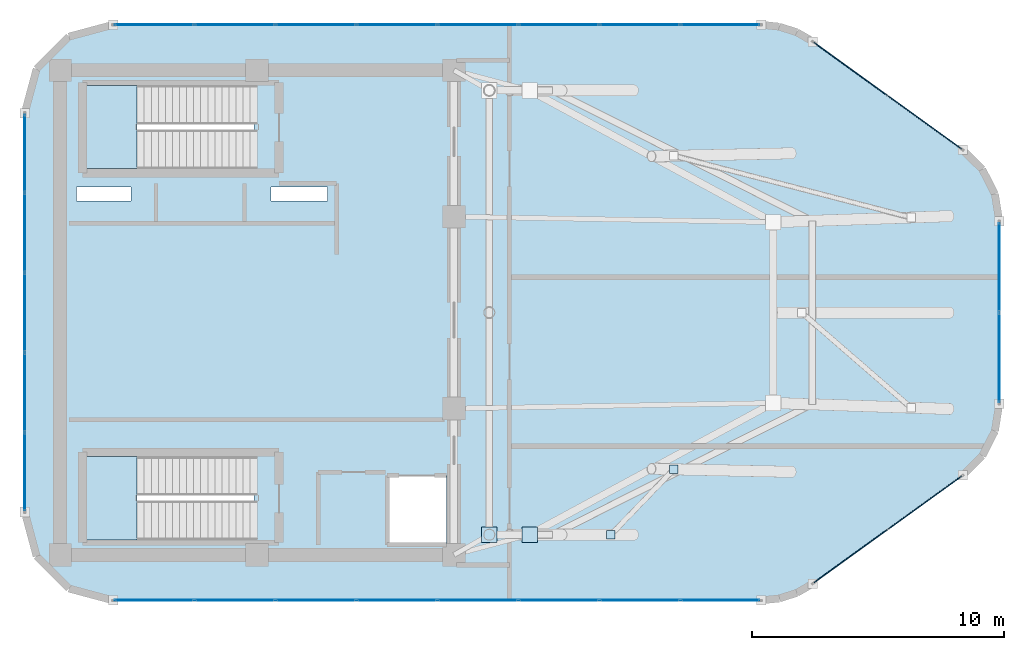
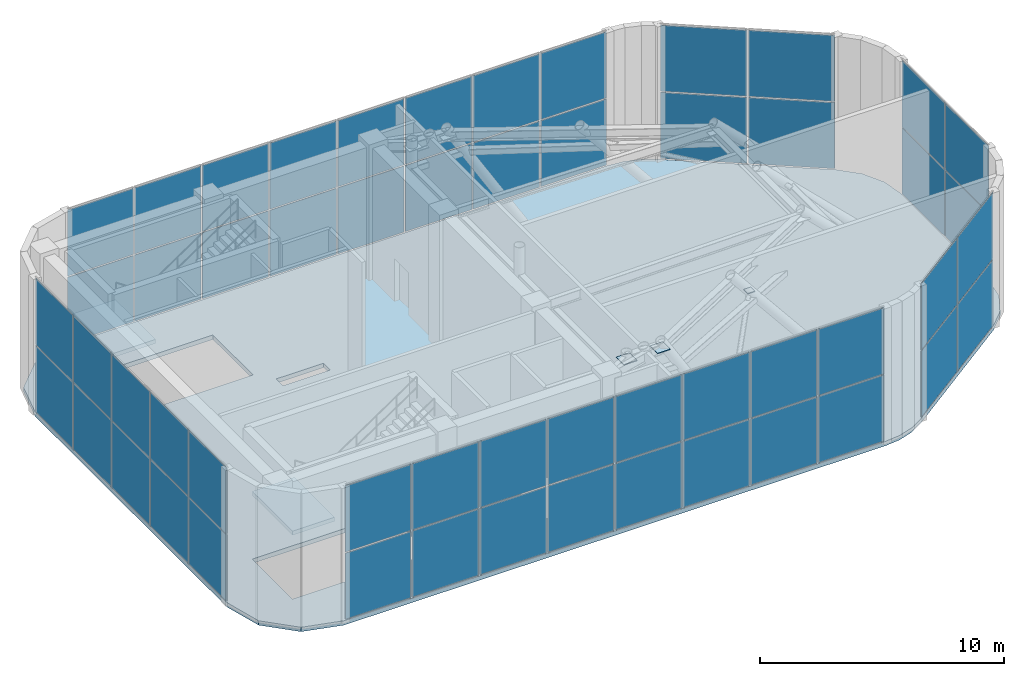
# One storey, part 20 of 23: 58 plates, 3 slabs, 8 elements without a shape of their own.
"""IFC4 building model written with IfcOpenShell, lengths in metres."""

from ifc_helpers import new_model, si_unit, direction, frame, origin, origin_2d, place, context, subcontext, project, spatial, polyline, rectangle, outline, extrude, material, layer, layer_set, type_object, element, aggregate, save


model = new_model("IFC4")

# Units and contexts
model_context = context("Model", 3, precision=1e-05, world=origin(), true_north=direction((0.0, 1.0)))
body_context = subcontext(model_context, "Body", "Model", "MODEL_VIEW")
ifc_project = project(units=[si_unit("LENGTHUNIT", "METRE"), si_unit("AREAUNIT", "SQUARE_METRE"), si_unit("VOLUMEUNIT", "CUBIC_METRE"), si_unit("PLANEANGLEUNIT", "RADIAN"), si_unit("MASSUNIT", "GRAM", prefix="KILO")], contexts=[model_context])

# Site, building, storey
site_placement = place(None, origin())
site = spatial("IfcSite", under=ifc_project, at=site_placement, CompositionType="ELEMENT")
building_placement = place(site_placement, origin())
building = spatial("IfcBuilding", under=site, at=building_placement, Name="An Khanh Terracotta Commons", CompositionType="ELEMENT")
storey_placement = place(building_placement, frame((0.0, 0.0, 322.0)))
storey = spatial("IfcBuildingStorey", under=building, at=storey_placement, Name="L81 Crown Heat-Recovery Plant", CompositionType="ELEMENT", Elevation=322.0)

# Plates
ifc_material_1 = material(Name="Steel S460ML", Category="steel")
ifc_layer_1 = layer(ifc_material_1, 0.030029296875, Name="Steel S460ML")
ifc_layer_set_1 = layer_set([ifc_layer_1], Name="Steel S460ML")
plate_type_1 = type_object("IfcPlateType", Name="CROWN-CAP-PL", PredefinedType="USERDEFINED", material=ifc_layer_set_1)
for number, where, z_axis, x_axis, name in (
    (1, (43.4150390625, 15.199951171875, 1.3701171875), (0.0, 0.0, 1.0), (1.0, 0.0, 0.0), "L81 Crown Heat-Recovery Plant CROWN FRAME Brace End-Cap Plate 2A"),
    (2, (45.9150390625, 17.791015625, 5.61083984375), (0.0, 0.0, 1.0), (1.0, 0.0, 0.0), "L81 Crown Heat-Recovery Plant CROWN FRAME Brace End-Cap Plate 2B"),
):
    element("IfcPlate", number, at=place(storey_placement, frame(where, z_axis=z_axis, x_axis=x_axis)), inside=storey, type_object=plate_type_1, Name=name, ObjectType="FLANGE_PLATE", PredefinedType="USERDEFINED", context=body_context, shape_type="SweptSolid", body=[
        extrude(rectangle(XDim=0.340087890625, YDim=0.340087890625, at=origin_2d()), origin(), (0.0, 0.0, 1.0), 0.030029296875),
    ])

# Curtain wall, plates
ifc_material_2 = material(Name="Anodised Aluminium 6063-T6", Category="aluminium")
ifc_layer_2 = layer(ifc_material_2, 0.18994140625, Name="Anodised Aluminium 6063-T6")
ifc_layer_set_2 = layer_set([ifc_layer_2], Name="Anodised Aluminium 6063-T6")
curtain_wall_type = type_object("IfcCurtainWallType", Name="CW-SYS-06", PredefinedType="USERDEFINED", material=ifc_layer_set_2)
curtain_wall_1_placement = place(storey_placement, origin())
curtain_wall_1 = element("IfcCurtainWall", 3, at=curtain_wall_1_placement, inside=storey, type_object=curtain_wall_type, Name="L81 Crown Heat-Recovery Plant CW-06 Unitised Curtain Wall CW-L81-04", ObjectType="UNITISED CURTAIN WALL", PredefinedType="USERDEFINED")
ifc_material_3 = material(Name="Faceted Crown Low-Iron Low-E Glazing", Category="glass")
ifc_layer_3 = layer(ifc_material_3, 0.033935546875, Name="Faceted Crown Low-Iron Low-E Glazing")
ifc_layer_set_3 = layer_set([ifc_layer_3], Name="Faceted Crown Low-Iron Low-E Glazing")
plate_type_2 = type_object("IfcPlateType", Name="CWP-CROWN-34", PredefinedType="CURTAIN_PANEL", material=ifc_layer_set_3)
plate_1_placement = place(storey_placement, frame((25.320556640625, 12.60009765625, 0.06005859375), z_axis=(0.0, 0.0, 1.0), x_axis=(1.0, 0.0, 0.0)))
plate_1 = element("IfcPlate", 4, at=plate_1_placement, type_object=plate_type_2, Name="CW-06 panel 1.1", PredefinedType="CURTAIN_PANEL", context=body_context, shape_type="SweptSolid", body=[
    extrude(rectangle(XDim=3.11083984375, YDim=0.033935546875, at=origin_2d()), origin(), (0.0, 0.0, 1.0), 3.31005859375),
])
plate_2_placement = place(storey_placement, frame((25.320556640625, 12.60009765625, 3.429931640625), z_axis=(0.0, 0.0, 1.0), x_axis=(1.0, 0.0, 0.0)))
plate_2 = element("IfcPlate", 5, at=plate_2_placement, type_object=plate_type_2, Name="CW-06 panel 1.2", PredefinedType="CURTAIN_PANEL", context=body_context, shape_type="SweptSolid", body=[
    extrude(rectangle(XDim=3.11083984375, YDim=0.033935546875, at=origin_2d()), origin(), (0.0, 0.0, 1.0), 3.31005859375),
])
plate_3_placement = place(storey_placement, frame((28.512451171875, 12.60009765625, 0.06005859375), z_axis=(0.0, 0.0, 1.0), x_axis=(1.0, 0.0, 0.0)))
plate_3 = element("IfcPlate", 6, at=plate_3_placement, type_object=plate_type_2, Name="CW-06 panel 2.1", PredefinedType="CURTAIN_PANEL", context=body_context, shape_type="SweptSolid", body=[
    extrude(rectangle(XDim=3.143310546875, YDim=0.033935546875, at=origin_2d()), origin(), (0.0, 0.0, 1.0), 3.31005859375),
])
plate_4_placement = place(storey_placement, frame((28.512451171875, 12.60009765625, 3.429931640625), z_axis=(0.0, 0.0, 1.0), x_axis=(1.0, 0.0, 0.0)))
plate_4 = element("IfcPlate", 7, at=plate_4_placement, type_object=plate_type_2, Name="CW-06 panel 2.2", PredefinedType="CURTAIN_PANEL", context=body_context, shape_type="SweptSolid", body=[
    extrude(rectangle(XDim=3.143310546875, YDim=0.033935546875, at=origin_2d()), origin(), (0.0, 0.0, 1.0), 3.31005859375),
])
plate_5_placement = place(storey_placement, frame((31.720947265625, 12.60009765625, 0.06005859375), z_axis=(0.0, 0.0, 1.0), x_axis=(1.0, 0.0, 0.0)))
plate_5 = element("IfcPlate", 8, at=plate_5_placement, type_object=plate_type_2, Name="CW-06 panel 3.1", PredefinedType="CURTAIN_PANEL", context=body_context, shape_type="SweptSolid", body=[
    extrude(rectangle(XDim=3.143310546875, YDim=0.033935546875, at=origin_2d()), origin(), (0.0, 0.0, 1.0), 3.31005859375),
])
plate_6_placement = place(storey_placement, frame((31.720947265625, 12.60009765625, 3.429931640625), z_axis=(0.0, 0.0, 1.0), x_axis=(1.0, 0.0, 0.0)))
plate_6 = element("IfcPlate", 9, at=plate_6_placement, type_object=plate_type_2, Name="CW-06 panel 3.2", PredefinedType="CURTAIN_PANEL", context=body_context, shape_type="SweptSolid", body=[
    extrude(rectangle(XDim=3.143310546875, YDim=0.033935546875, at=origin_2d()), origin(), (0.0, 0.0, 1.0), 3.31005859375),
])
plate_7_placement = place(storey_placement, frame((34.92919921875, 12.60009765625, 0.06005859375), z_axis=(0.0, 0.0, 1.0), x_axis=(1.0, 0.0, 0.0)))
plate_7 = element("IfcPlate", 10, at=plate_7_placement, type_object=plate_type_2, Name="CW-06 panel 4.1", PredefinedType="CURTAIN_PANEL", context=body_context, shape_type="SweptSolid", body=[
    extrude(rectangle(XDim=3.143310546875, YDim=0.033935546875, at=origin_2d()), origin(), (0.0, 0.0, 1.0), 3.31005859375),
])
plate_8_placement = place(storey_placement, frame((34.92919921875, 12.60009765625, 3.429931640625), z_axis=(0.0, 0.0, 1.0), x_axis=(1.0, 0.0, 0.0)))
plate_8 = element("IfcPlate", 11, at=plate_8_placement, type_object=plate_type_2, Name="CW-06 panel 4.2", PredefinedType="CURTAIN_PANEL", context=body_context, shape_type="SweptSolid", body=[
    extrude(rectangle(XDim=3.143310546875, YDim=0.033935546875, at=origin_2d()), origin(), (0.0, 0.0, 1.0), 3.31005859375),
])
plate_9_placement = place(storey_placement, frame((38.1376953125, 12.60009765625, 0.06005859375), z_axis=(0.0, 0.0, 1.0), x_axis=(1.0, 0.0, 0.0)))
plate_9 = element("IfcPlate", 12, at=plate_9_placement, type_object=plate_type_2, Name="CW-06 panel 5.1", PredefinedType="CURTAIN_PANEL", context=body_context, shape_type="SweptSolid", body=[
    extrude(rectangle(XDim=3.143310546875, YDim=0.033935546875, at=origin_2d()), origin(), (0.0, 0.0, 1.0), 3.31005859375),
])
plate_10_placement = place(storey_placement, frame((38.1376953125, 12.60009765625, 3.429931640625), z_axis=(0.0, 0.0, 1.0), x_axis=(1.0, 0.0, 0.0)))
plate_10 = element("IfcPlate", 13, at=plate_10_placement, type_object=plate_type_2, Name="CW-06 panel 5.2", PredefinedType="CURTAIN_PANEL", context=body_context, shape_type="SweptSolid", body=[
    extrude(rectangle(XDim=3.143310546875, YDim=0.033935546875, at=origin_2d()), origin(), (0.0, 0.0, 1.0), 3.31005859375),
])
plate_11_placement = place(storey_placement, frame((41.345947265625, 12.60009765625, 0.06005859375), z_axis=(0.0, 0.0, 1.0), x_axis=(1.0, 0.0, 0.0)))
plate_11 = element("IfcPlate", 14, at=plate_11_placement, type_object=plate_type_2, Name="CW-06 panel 6.1", PredefinedType="CURTAIN_PANEL", context=body_context, shape_type="SweptSolid", body=[
    extrude(rectangle(XDim=3.143310546875, YDim=0.033935546875, at=origin_2d()), origin(), (0.0, 0.0, 1.0), 3.31005859375),
])
plate_12_placement = place(storey_placement, frame((41.345947265625, 12.60009765625, 3.429931640625), z_axis=(0.0, 0.0, 1.0), x_axis=(1.0, 0.0, 0.0)))
plate_12 = element("IfcPlate", 15, at=plate_12_placement, type_object=plate_type_2, Name="CW-06 panel 6.2", PredefinedType="CURTAIN_PANEL", context=body_context, shape_type="SweptSolid", body=[
    extrude(rectangle(XDim=3.143310546875, YDim=0.033935546875, at=origin_2d()), origin(), (0.0, 0.0, 1.0), 3.31005859375),
])
plate_13_placement = place(storey_placement, frame((44.554443359375, 12.60009765625, 0.06005859375), z_axis=(0.0, 0.0, 1.0), x_axis=(1.0, 0.0, 0.0)))
plate_13 = element("IfcPlate", 16, at=plate_13_placement, type_object=plate_type_2, Name="CW-06 panel 7.1", PredefinedType="CURTAIN_PANEL", context=body_context, shape_type="SweptSolid", body=[
    extrude(rectangle(XDim=3.143310546875, YDim=0.033935546875, at=origin_2d()), origin(), (0.0, 0.0, 1.0), 3.31005859375),
])
plate_14_placement = place(storey_placement, frame((44.554443359375, 12.60009765625, 3.429931640625), z_axis=(0.0, 0.0, 1.0), x_axis=(1.0, 0.0, 0.0)))
plate_14 = element("IfcPlate", 17, at=plate_14_placement, type_object=plate_type_2, Name="CW-06 panel 7.2", PredefinedType="CURTAIN_PANEL", context=body_context, shape_type="SweptSolid", body=[
    extrude(rectangle(XDim=3.143310546875, YDim=0.033935546875, at=origin_2d()), origin(), (0.0, 0.0, 1.0), 3.31005859375),
])
plate_15_placement = place(storey_placement, frame((47.74658203125, 12.60009765625, 0.06005859375), z_axis=(0.0, 0.0, 1.0), x_axis=(1.0, 0.0, 0.0)))
plate_15 = element("IfcPlate", 18, at=plate_15_placement, type_object=plate_type_2, Name="CW-06 panel 8.1", PredefinedType="CURTAIN_PANEL", context=body_context, shape_type="SweptSolid", body=[
    extrude(rectangle(XDim=3.11083984375, YDim=0.033935546875, at=origin_2d()), origin(), (0.0, 0.0, 1.0), 3.31005859375),
])
plate_16_placement = place(storey_placement, frame((47.74658203125, 12.60009765625, 3.429931640625), z_axis=(0.0, 0.0, 1.0), x_axis=(1.0, 0.0, 0.0)))
plate_16 = element("IfcPlate", 19, at=plate_16_placement, type_object=plate_type_2, Name="CW-06 panel 8.2", PredefinedType="CURTAIN_PANEL", context=body_context, shape_type="SweptSolid", body=[
    extrude(rectangle(XDim=3.11083984375, YDim=0.033935546875, at=origin_2d()), origin(), (0.0, 0.0, 1.0), 3.31005859375),
])
aggregate(curtain_wall_1, [plate_1, plate_2, plate_3, plate_4, plate_5, plate_6, plate_7, plate_8, plate_9, plate_10, plate_11, plate_12, plate_13, plate_14, plate_15, plate_16])

curtain_wall_2_placement = place(storey_placement, origin())
curtain_wall_2 = element("IfcCurtainWall", 20, at=curtain_wall_2_placement, inside=storey, type_object=curtain_wall_type, Name="L81 Crown Heat-Recovery Plant CW-06 Unitised Curtain Wall CW-L81-08", ObjectType="UNITISED CURTAIN WALL", PredefinedType="USERDEFINED")
plate_17_placement = place(storey_placement, frame((52.9140625, 14.345458984375, 0.06005859375), z_axis=(0.0, 0.0, 1.0), x_axis=(0.810434182337, 0.585829698889, 0.0)))
plate_17 = element("IfcPlate", 21, at=plate_17_placement, type_object=plate_type_2, Name="CW-06 panel 1.1", PredefinedType="CURTAIN_PANEL", context=body_context, shape_type="SweptSolid", body=[
    extrude(rectangle(XDim=3.562255859375, YDim=0.033935546875, at=origin_2d()), origin(), (0.0, 0.0, 1.0), 3.31005859375),
])
plate_18_placement = place(storey_placement, frame((52.9140625, 14.345458984375, 3.429931640625), z_axis=(0.0, 0.0, 1.0), x_axis=(0.810434182337, 0.585829698889, 0.0)))
plate_18 = element("IfcPlate", 22, at=plate_18_placement, type_object=plate_type_2, Name="CW-06 panel 1.2", PredefinedType="CURTAIN_PANEL", context=body_context, shape_type="SweptSolid", body=[
    extrude(rectangle(XDim=3.562255859375, YDim=0.033935546875, at=origin_2d()), origin(), (0.0, 0.0, 1.0), 3.31005859375),
])
plate_19_placement = place(storey_placement, frame((55.853759765625, 16.470458984375, 0.06005859375), z_axis=(0.0, 0.0, 1.0), x_axis=(0.810434182337, 0.585829698889, 0.0)))
plate_19 = element("IfcPlate", 23, at=plate_19_placement, type_object=plate_type_2, Name="CW-06 panel 2.1", PredefinedType="CURTAIN_PANEL", context=body_context, shape_type="SweptSolid", body=[
    extrude(rectangle(XDim=3.562255859375, YDim=0.033935546875, at=origin_2d()), origin(), (0.0, 0.0, 1.0), 3.31005859375),
])
plate_20_placement = place(storey_placement, frame((55.853759765625, 16.470458984375, 3.429931640625), z_axis=(0.0, 0.0, 1.0), x_axis=(0.810434182337, 0.585829698889, 0.0)))
plate_20 = element("IfcPlate", 24, at=plate_20_placement, type_object=plate_type_2, Name="CW-06 panel 2.2", PredefinedType="CURTAIN_PANEL", context=body_context, shape_type="SweptSolid", body=[
    extrude(rectangle(XDim=3.562255859375, YDim=0.033935546875, at=origin_2d()), origin(), (0.0, 0.0, 1.0), 3.31005859375),
])
aggregate(curtain_wall_2, [plate_17, plate_18, plate_19, plate_20])

curtain_wall_3_placement = place(storey_placement, origin())
curtain_wall_3 = element("IfcCurtainWall", 25, at=curtain_wall_3_placement, inside=storey, type_object=curtain_wall_type, Name="L81 Crown Heat-Recovery Plant CW-06 Unitised Curtain Wall CW-L81-12", ObjectType="UNITISED CURTAIN WALL", PredefinedType="USERDEFINED")
plate_21_placement = place(storey_placement, frame((58.800048828125, 22.210693359375, 0.06005859375), z_axis=(0.0, 0.0, 1.0), x_axis=(0.0, 1.0, 0.0)))
plate_21 = element("IfcPlate", 26, at=plate_21_placement, type_object=plate_type_2, Name="CW-06 panel 1.1", PredefinedType="CURTAIN_PANEL", context=body_context, shape_type="SweptSolid", body=[
    extrude(rectangle(XDim=3.513427734375, YDim=0.033935546875, at=origin_2d()), origin(), (0.0, 0.0, 1.0), 3.31005859375),
])
plate_22_placement = place(storey_placement, frame((58.800048828125, 22.210693359375, 3.429931640625), z_axis=(0.0, 0.0, 1.0), x_axis=(0.0, 1.0, 0.0)))
plate_22 = element("IfcPlate", 27, at=plate_22_placement, type_object=plate_type_2, Name="CW-06 panel 1.2", PredefinedType="CURTAIN_PANEL", context=body_context, shape_type="SweptSolid", body=[
    extrude(rectangle(XDim=3.513427734375, YDim=0.033935546875, at=origin_2d()), origin(), (0.0, 0.0, 1.0), 3.31005859375),
])
plate_23_placement = place(storey_placement, frame((58.800048828125, 25.789306640625, 0.06005859375), z_axis=(0.0, 0.0, 1.0), x_axis=(0.0, 1.0, 0.0)))
plate_23 = element("IfcPlate", 28, at=plate_23_placement, type_object=plate_type_2, Name="CW-06 panel 2.1", PredefinedType="CURTAIN_PANEL", context=body_context, shape_type="SweptSolid", body=[
    extrude(rectangle(XDim=3.513427734375, YDim=0.033935546875, at=origin_2d()), origin(), (0.0, 0.0, 1.0), 3.31005859375),
])
plate_24_placement = place(storey_placement, frame((58.800048828125, 25.789306640625, 3.429931640625), z_axis=(0.0, 0.0, 1.0), x_axis=(0.0, 1.0, 0.0)))
plate_24 = element("IfcPlate", 29, at=plate_24_placement, type_object=plate_type_2, Name="CW-06 panel 2.2", PredefinedType="CURTAIN_PANEL", context=body_context, shape_type="SweptSolid", body=[
    extrude(rectangle(XDim=3.513427734375, YDim=0.033935546875, at=origin_2d()), origin(), (0.0, 0.0, 1.0), 3.31005859375),
])
aggregate(curtain_wall_3, [plate_21, plate_22, plate_23, plate_24])

curtain_wall_4_placement = place(storey_placement, origin())
curtain_wall_4 = element("IfcCurtainWall", 30, at=curtain_wall_4_placement, inside=storey, type_object=curtain_wall_type, Name="L81 Crown Heat-Recovery Plant CW-06 Unitised Curtain Wall CW-L81-16", ObjectType="UNITISED CURTAIN WALL", PredefinedType="USERDEFINED")
plate_25_placement = place(storey_placement, frame((55.853759765625, 31.529541015625, 0.06005859375), z_axis=(0.0, 0.0, 1.0), x_axis=(-0.810434182337, 0.585829698889, 0.0)))
plate_25 = element("IfcPlate", 31, at=plate_25_placement, type_object=plate_type_2, Name="CW-06 panel 1.1", PredefinedType="CURTAIN_PANEL", context=body_context, shape_type="SweptSolid", body=[
    extrude(rectangle(XDim=3.562255859375, YDim=0.033935546875, at=origin_2d()), origin(), (0.0, 0.0, 1.0), 3.31005859375),
])
plate_26_placement = place(storey_placement, frame((55.853759765625, 31.529541015625, 3.429931640625), z_axis=(0.0, 0.0, 1.0), x_axis=(-0.810434182337, 0.585829698889, 0.0)))
plate_26 = element("IfcPlate", 32, at=plate_26_placement, type_object=plate_type_2, Name="CW-06 panel 1.2", PredefinedType="CURTAIN_PANEL", context=body_context, shape_type="SweptSolid", body=[
    extrude(rectangle(XDim=3.562255859375, YDim=0.033935546875, at=origin_2d()), origin(), (0.0, 0.0, 1.0), 3.31005859375),
])
plate_27_placement = place(storey_placement, frame((52.9140625, 33.654541015625, 0.06005859375), z_axis=(0.0, 0.0, 1.0), x_axis=(-0.810434182337, 0.585829698889, 0.0)))
plate_27 = element("IfcPlate", 33, at=plate_27_placement, type_object=plate_type_2, Name="CW-06 panel 2.1", PredefinedType="CURTAIN_PANEL", context=body_context, shape_type="SweptSolid", body=[
    extrude(rectangle(XDim=3.562255859375, YDim=0.033935546875, at=origin_2d()), origin(), (0.0, 0.0, 1.0), 3.31005859375),
])
plate_28_placement = place(storey_placement, frame((52.9140625, 33.654541015625, 3.429931640625), z_axis=(0.0, 0.0, 1.0), x_axis=(-0.810434182337, 0.585829698889, 0.0)))
plate_28 = element("IfcPlate", 34, at=plate_28_placement, type_object=plate_type_2, Name="CW-06 panel 2.2", PredefinedType="CURTAIN_PANEL", context=body_context, shape_type="SweptSolid", body=[
    extrude(rectangle(XDim=3.562255859375, YDim=0.033935546875, at=origin_2d()), origin(), (0.0, 0.0, 1.0), 3.31005859375),
])
aggregate(curtain_wall_4, [plate_25, plate_26, plate_27, plate_28])

curtain_wall_5_placement = place(storey_placement, origin())
curtain_wall_5 = element("IfcCurtainWall", 35, at=curtain_wall_5_placement, inside=storey, type_object=curtain_wall_type, Name="L81 Crown Heat-Recovery Plant CW-06 Unitised Curtain Wall CW-L81-20", ObjectType="UNITISED CURTAIN WALL", PredefinedType="USERDEFINED")
plate_29_placement = place(storey_placement, frame((47.74658203125, 35.39990234375, 0.06005859375), z_axis=(0.0, 0.0, 1.0), x_axis=(-1.0, 0.0, 0.0)))
plate_29 = element("IfcPlate", 36, at=plate_29_placement, type_object=plate_type_2, Name="CW-06 panel 1.1", PredefinedType="CURTAIN_PANEL", context=body_context, shape_type="SweptSolid", body=[
    extrude(rectangle(XDim=3.11083984375, YDim=0.033935546875, at=origin_2d()), origin(), (0.0, 0.0, 1.0), 3.31005859375),
])
plate_30_placement = place(storey_placement, frame((47.74658203125, 35.39990234375, 3.429931640625), z_axis=(0.0, 0.0, 1.0), x_axis=(-1.0, 0.0, 0.0)))
plate_30 = element("IfcPlate", 37, at=plate_30_placement, type_object=plate_type_2, Name="CW-06 panel 1.2", PredefinedType="CURTAIN_PANEL", context=body_context, shape_type="SweptSolid", body=[
    extrude(rectangle(XDim=3.11083984375, YDim=0.033935546875, at=origin_2d()), origin(), (0.0, 0.0, 1.0), 3.31005859375),
])
plate_31_placement = place(storey_placement, frame((44.554443359375, 35.39990234375, 0.06005859375), z_axis=(0.0, 0.0, 1.0), x_axis=(-1.0, 0.0, 0.0)))
plate_31 = element("IfcPlate", 38, at=plate_31_placement, type_object=plate_type_2, Name="CW-06 panel 2.1", PredefinedType="CURTAIN_PANEL", context=body_context, shape_type="SweptSolid", body=[
    extrude(rectangle(XDim=3.143310546875, YDim=0.033935546875, at=origin_2d()), origin(), (0.0, 0.0, 1.0), 3.31005859375),
])
plate_32_placement = place(storey_placement, frame((44.554443359375, 35.39990234375, 3.429931640625), z_axis=(0.0, 0.0, 1.0), x_axis=(-1.0, 0.0, 0.0)))
plate_32 = element("IfcPlate", 39, at=plate_32_placement, type_object=plate_type_2, Name="CW-06 panel 2.2", PredefinedType="CURTAIN_PANEL", context=body_context, shape_type="SweptSolid", body=[
    extrude(rectangle(XDim=3.143310546875, YDim=0.033935546875, at=origin_2d()), origin(), (0.0, 0.0, 1.0), 3.31005859375),
])
plate_33_placement = place(storey_placement, frame((41.345947265625, 35.39990234375, 0.06005859375), z_axis=(0.0, 0.0, 1.0), x_axis=(-1.0, 0.0, 0.0)))
plate_33 = element("IfcPlate", 40, at=plate_33_placement, type_object=plate_type_2, Name="CW-06 panel 3.1", PredefinedType="CURTAIN_PANEL", context=body_context, shape_type="SweptSolid", body=[
    extrude(rectangle(XDim=3.143310546875, YDim=0.033935546875, at=origin_2d()), origin(), (0.0, 0.0, 1.0), 3.31005859375),
])
plate_34_placement = place(storey_placement, frame((41.345947265625, 35.39990234375, 3.429931640625), z_axis=(0.0, 0.0, 1.0), x_axis=(-1.0, 0.0, 0.0)))
plate_34 = element("IfcPlate", 41, at=plate_34_placement, type_object=plate_type_2, Name="CW-06 panel 3.2", PredefinedType="CURTAIN_PANEL", context=body_context, shape_type="SweptSolid", body=[
    extrude(rectangle(XDim=3.143310546875, YDim=0.033935546875, at=origin_2d()), origin(), (0.0, 0.0, 1.0), 3.31005859375),
])
plate_35_placement = place(storey_placement, frame((38.1376953125, 35.39990234375, 0.06005859375), z_axis=(0.0, 0.0, 1.0), x_axis=(-1.0, 0.0, 0.0)))
plate_35 = element("IfcPlate", 42, at=plate_35_placement, type_object=plate_type_2, Name="CW-06 panel 4.1", PredefinedType="CURTAIN_PANEL", context=body_context, shape_type="SweptSolid", body=[
    extrude(rectangle(XDim=3.143310546875, YDim=0.033935546875, at=origin_2d()), origin(), (0.0, 0.0, 1.0), 3.31005859375),
])
plate_36_placement = place(storey_placement, frame((38.1376953125, 35.39990234375, 3.429931640625), z_axis=(0.0, 0.0, 1.0), x_axis=(-1.0, 0.0, 0.0)))
plate_36 = element("IfcPlate", 43, at=plate_36_placement, type_object=plate_type_2, Name="CW-06 panel 4.2", PredefinedType="CURTAIN_PANEL", context=body_context, shape_type="SweptSolid", body=[
    extrude(rectangle(XDim=3.143310546875, YDim=0.033935546875, at=origin_2d()), origin(), (0.0, 0.0, 1.0), 3.31005859375),
])
plate_37_placement = place(storey_placement, frame((34.92919921875, 35.39990234375, 0.06005859375), z_axis=(0.0, 0.0, 1.0), x_axis=(-1.0, 0.0, 0.0)))
plate_37 = element("IfcPlate", 44, at=plate_37_placement, type_object=plate_type_2, Name="CW-06 panel 5.1", PredefinedType="CURTAIN_PANEL", context=body_context, shape_type="SweptSolid", body=[
    extrude(rectangle(XDim=3.143310546875, YDim=0.033935546875, at=origin_2d()), origin(), (0.0, 0.0, 1.0), 3.31005859375),
])
plate_38_placement = place(storey_placement, frame((34.92919921875, 35.39990234375, 3.429931640625), z_axis=(0.0, 0.0, 1.0), x_axis=(-1.0, 0.0, 0.0)))
plate_38 = element("IfcPlate", 45, at=plate_38_placement, type_object=plate_type_2, Name="CW-06 panel 5.2", PredefinedType="CURTAIN_PANEL", context=body_context, shape_type="SweptSolid", body=[
    extrude(rectangle(XDim=3.143310546875, YDim=0.033935546875, at=origin_2d()), origin(), (0.0, 0.0, 1.0), 3.31005859375),
])
plate_39_placement = place(storey_placement, frame((31.720947265625, 35.39990234375, 0.06005859375), z_axis=(0.0, 0.0, 1.0), x_axis=(-1.0, 0.0, 0.0)))
plate_39 = element("IfcPlate", 46, at=plate_39_placement, type_object=plate_type_2, Name="CW-06 panel 6.1", PredefinedType="CURTAIN_PANEL", context=body_context, shape_type="SweptSolid", body=[
    extrude(rectangle(XDim=3.143310546875, YDim=0.033935546875, at=origin_2d()), origin(), (0.0, 0.0, 1.0), 3.31005859375),
])
plate_40_placement = place(storey_placement, frame((31.720947265625, 35.39990234375, 3.429931640625), z_axis=(0.0, 0.0, 1.0), x_axis=(-1.0, 0.0, 0.0)))
plate_40 = element("IfcPlate", 47, at=plate_40_placement, type_object=plate_type_2, Name="CW-06 panel 6.2", PredefinedType="CURTAIN_PANEL", context=body_context, shape_type="SweptSolid", body=[
    extrude(rectangle(XDim=3.143310546875, YDim=0.033935546875, at=origin_2d()), origin(), (0.0, 0.0, 1.0), 3.31005859375),
])
plate_41_placement = place(storey_placement, frame((28.512451171875, 35.39990234375, 0.06005859375), z_axis=(0.0, 0.0, 1.0), x_axis=(-1.0, 0.0, 0.0)))
plate_41 = element("IfcPlate", 48, at=plate_41_placement, type_object=plate_type_2, Name="CW-06 panel 7.1", PredefinedType="CURTAIN_PANEL", context=body_context, shape_type="SweptSolid", body=[
    extrude(rectangle(XDim=3.143310546875, YDim=0.033935546875, at=origin_2d()), origin(), (0.0, 0.0, 1.0), 3.31005859375),
])
plate_42_placement = place(storey_placement, frame((28.512451171875, 35.39990234375, 3.429931640625), z_axis=(0.0, 0.0, 1.0), x_axis=(-1.0, 0.0, 0.0)))
plate_42 = element("IfcPlate", 49, at=plate_42_placement, type_object=plate_type_2, Name="CW-06 panel 7.2", PredefinedType="CURTAIN_PANEL", context=body_context, shape_type="SweptSolid", body=[
    extrude(rectangle(XDim=3.143310546875, YDim=0.033935546875, at=origin_2d()), origin(), (0.0, 0.0, 1.0), 3.31005859375),
])
plate_43_placement = place(storey_placement, frame((25.320556640625, 35.39990234375, 0.06005859375), z_axis=(0.0, 0.0, 1.0), x_axis=(-1.0, 0.0, 0.0)))
plate_43 = element("IfcPlate", 50, at=plate_43_placement, type_object=plate_type_2, Name="CW-06 panel 8.1", PredefinedType="CURTAIN_PANEL", context=body_context, shape_type="SweptSolid", body=[
    extrude(rectangle(XDim=3.11083984375, YDim=0.033935546875, at=origin_2d()), origin(), (0.0, 0.0, 1.0), 3.31005859375),
])
plate_44_placement = place(storey_placement, frame((25.320556640625, 35.39990234375, 3.429931640625), z_axis=(0.0, 0.0, 1.0), x_axis=(-1.0, 0.0, 0.0)))
plate_44 = element("IfcPlate", 51, at=plate_44_placement, type_object=plate_type_2, Name="CW-06 panel 8.2", PredefinedType="CURTAIN_PANEL", context=body_context, shape_type="SweptSolid", body=[
    extrude(rectangle(XDim=3.11083984375, YDim=0.033935546875, at=origin_2d()), origin(), (0.0, 0.0, 1.0), 3.31005859375),
])
aggregate(curtain_wall_5, [plate_29, plate_30, plate_31, plate_32, plate_33, plate_34, plate_35, plate_36, plate_37, plate_38, plate_39, plate_40, plate_41, plate_42, plate_43, plate_44])

curtain_wall_6_placement = place(storey_placement, origin())
curtain_wall_6 = element("IfcCurtainWall", 52, at=curtain_wall_6_placement, inside=storey, type_object=curtain_wall_type, Name="L81 Crown Heat-Recovery Plant CW-06 Unitised Curtain Wall CW-L81-24", ObjectType="UNITISED CURTAIN WALL", PredefinedType="USERDEFINED")
plate_45_placement = place(storey_placement, frame((20.199951171875, 30.3037109375, 0.06005859375), z_axis=(0.0, 0.0, 1.0), x_axis=(0.0, -1.0, 0.0)))
plate_45 = element("IfcPlate", 53, at=plate_45_placement, type_object=plate_type_2, Name="CW-06 panel 1.1", PredefinedType="CURTAIN_PANEL", context=body_context, shape_type="SweptSolid", body=[
    extrude(rectangle(XDim=3.0625, YDim=0.033935546875, at=origin_2d()), origin(), (0.0, 0.0, 1.0), 3.31005859375),
])
plate_46_placement = place(storey_placement, frame((20.199951171875, 30.3037109375, 3.429931640625), z_axis=(0.0, 0.0, 1.0), x_axis=(0.0, -1.0, 0.0)))
plate_46 = element("IfcPlate", 54, at=plate_46_placement, type_object=plate_type_2, Name="CW-06 panel 1.2", PredefinedType="CURTAIN_PANEL", context=body_context, shape_type="SweptSolid", body=[
    extrude(rectangle(XDim=3.0625, YDim=0.033935546875, at=origin_2d()), origin(), (0.0, 0.0, 1.0), 3.31005859375),
])
plate_47_placement = place(storey_placement, frame((20.199951171875, 27.159912109375, 0.06005859375), z_axis=(0.0, 0.0, 1.0), x_axis=(0.0, -1.0, 0.0)))
plate_47 = element("IfcPlate", 55, at=plate_47_placement, type_object=plate_type_2, Name="CW-06 panel 2.1", PredefinedType="CURTAIN_PANEL", context=body_context, shape_type="SweptSolid", body=[
    extrude(rectangle(XDim=3.094970703125, YDim=0.033935546875, at=origin_2d()), origin(), (0.0, 0.0, 1.0), 3.31005859375),
])
plate_48_placement = place(storey_placement, frame((20.199951171875, 27.159912109375, 3.429931640625), z_axis=(0.0, 0.0, 1.0), x_axis=(0.0, -1.0, 0.0)))
plate_48 = element("IfcPlate", 56, at=plate_48_placement, type_object=plate_type_2, Name="CW-06 panel 2.2", PredefinedType="CURTAIN_PANEL", context=body_context, shape_type="SweptSolid", body=[
    extrude(rectangle(XDim=3.094970703125, YDim=0.033935546875, at=origin_2d()), origin(), (0.0, 0.0, 1.0), 3.31005859375),
])
plate_49_placement = place(storey_placement, frame((20.199951171875, 24.0, 0.06005859375), z_axis=(0.0, 0.0, 1.0), x_axis=(0.0, -1.0, 0.0)))
plate_49 = element("IfcPlate", 57, at=plate_49_placement, type_object=plate_type_2, Name="CW-06 panel 3.1", PredefinedType="CURTAIN_PANEL", context=body_context, shape_type="SweptSolid", body=[
    extrude(rectangle(XDim=3.094970703125, YDim=0.033935546875, at=origin_2d()), origin(), (0.0, 0.0, 1.0), 3.31005859375),
])
plate_50_placement = place(storey_placement, frame((20.199951171875, 24.0, 3.429931640625), z_axis=(0.0, 0.0, 1.0), x_axis=(0.0, -1.0, 0.0)))
plate_50 = element("IfcPlate", 58, at=plate_50_placement, type_object=plate_type_2, Name="CW-06 panel 3.2", PredefinedType="CURTAIN_PANEL", context=body_context, shape_type="SweptSolid", body=[
    extrude(rectangle(XDim=3.094970703125, YDim=0.033935546875, at=origin_2d()), origin(), (0.0, 0.0, 1.0), 3.31005859375),
])
plate_51_placement = place(storey_placement, frame((20.199951171875, 20.840087890625, 0.06005859375), z_axis=(0.0, 0.0, 1.0), x_axis=(0.0, -1.0, 0.0)))
plate_51 = element("IfcPlate", 59, at=plate_51_placement, type_object=plate_type_2, Name="CW-06 panel 4.1", PredefinedType="CURTAIN_PANEL", context=body_context, shape_type="SweptSolid", body=[
    extrude(rectangle(XDim=3.094970703125, YDim=0.033935546875, at=origin_2d()), origin(), (0.0, 0.0, 1.0), 3.31005859375),
])
plate_52_placement = place(storey_placement, frame((20.199951171875, 20.840087890625, 3.429931640625), z_axis=(0.0, 0.0, 1.0), x_axis=(0.0, -1.0, 0.0)))
plate_52 = element("IfcPlate", 60, at=plate_52_placement, type_object=plate_type_2, Name="CW-06 panel 4.2", PredefinedType="CURTAIN_PANEL", context=body_context, shape_type="SweptSolid", body=[
    extrude(rectangle(XDim=3.094970703125, YDim=0.033935546875, at=origin_2d()), origin(), (0.0, 0.0, 1.0), 3.31005859375),
])
plate_53_placement = place(storey_placement, frame((20.199951171875, 17.6962890625, 0.06005859375), z_axis=(0.0, 0.0, 1.0), x_axis=(0.0, -1.0, 0.0)))
plate_53 = element("IfcPlate", 61, at=plate_53_placement, type_object=plate_type_2, Name="CW-06 panel 5.1", PredefinedType="CURTAIN_PANEL", context=body_context, shape_type="SweptSolid", body=[
    extrude(rectangle(XDim=3.0625, YDim=0.033935546875, at=origin_2d()), origin(), (0.0, 0.0, 1.0), 3.31005859375),
])
plate_54_placement = place(storey_placement, frame((20.199951171875, 17.6962890625, 3.429931640625), z_axis=(0.0, 0.0, 1.0), x_axis=(0.0, -1.0, 0.0)))
plate_54 = element("IfcPlate", 62, at=plate_54_placement, type_object=plate_type_2, Name="CW-06 panel 5.2", PredefinedType="CURTAIN_PANEL", context=body_context, shape_type="SweptSolid", body=[
    extrude(rectangle(XDim=3.0625, YDim=0.033935546875, at=origin_2d()), origin(), (0.0, 0.0, 1.0), 3.31005859375),
])
aggregate(curtain_wall_6, [plate_45, plate_46, plate_47, plate_48, plate_49, plate_50, plate_51, plate_52, plate_53, plate_54])

# Plates
ifc_layer_4 = layer(ifc_material_1, 0.02490234375, Name="Steel S460ML")
ifc_layer_set_4 = layer_set([ifc_layer_4], Name="Steel S460ML")
plate_type_3 = type_object("IfcPlateType", Name="PLATE-GUSSET-25", PredefinedType="USERDEFINED", material=ifc_layer_set_4)
for number, where, z_axis, x_axis, name in (
    (63, (38.60009765625, 15.199951171875, 6.317626953125), (0.0, 0.0, 1.0), (1.0, 0.0, 0.0), "L81 Crown Heat-Recovery Plant CROWN FRAME Node End-Cap Plate 1"),
    (64, (40.199951171875, 15.199951171875, 6.317626953125), (0.0, 0.0, 1.0), (1.0, 0.0, 0.0), "L81 Crown Heat-Recovery Plant CROWN FRAME Node End-Cap Plate 2"),
):
    element("IfcPlate", number, at=place(storey_placement, frame(where, z_axis=z_axis, x_axis=x_axis)), inside=storey, type_object=plate_type_3, Name=name, ObjectType="FLANGE_PLATE", PredefinedType="USERDEFINED", context=body_context, shape_type="SweptSolid", body=[
        extrude(rectangle(XDim=0.6201171875, YDim=0.6201171875, at=origin_2d()), origin(), (0.0, 0.0, 1.0), 0.02490234375),
    ])

# Stair, slab
ifc_material_4 = material(Name="Precast concrete C40/50", Category="concrete")
stair_type = type_object("IfcStairType", Name="STAIR-CORE-1550", PredefinedType="HALF_TURN_STAIR", material=ifc_material_4)
stair_1_placement = place(storey_placement, origin())
stair_1 = element("IfcStair", 65, at=stair_1_placement, inside=storey, type_object=stair_type, Name="L81 Crown Heat-Recovery Plant Core Smokeproof Exit Stair ST-01", PredefinedType="HALF_TURN_STAIR")
ifc_material_5 = material(Name="Concrete C40/50", Category="concrete")
ifc_layer_5 = layer(ifc_material_5, 0.18994140625, Name="Concrete C40/50")
ifc_layer_set_5 = layer_set([ifc_layer_5], Name="Concrete C40/50")
slab_type_1 = type_object("IfcSlabType", Name="SLAB-LANDING-190", PredefinedType="LANDING", material=ifc_layer_set_5)
slab_1_placement = place(storey_placement, frame((0.0, 0.0, 3.199951171875)))
slab_1 = element("IfcSlab", 66, at=slab_1_placement, type_object=slab_type_1, Name="ST-01 landing 1", PredefinedType="LANDING", context=body_context, shape_type="SweptSolid", body=[
    extrude(outline(polyline([(24.64990234375, 33.0), (22.64990234375, 33.0), (22.64990234375, 29.699951171875), (24.64990234375, 29.699951171875), (24.64990234375, 33.0)])), origin(), (0.0, 0.0, 1.0), 0.199951171875),
])
aggregate(stair_1, [slab_1])

stair_2_placement = place(storey_placement, origin())
stair_2 = element("IfcStair", 67, at=stair_2_placement, inside=storey, type_object=stair_type, Name="L81 Crown Heat-Recovery Plant Core Smokeproof Exit Stair ST-02", PredefinedType="HALF_TURN_STAIR")
slab_2_placement = place(storey_placement, frame((0.0, 0.0, 3.199951171875)))
slab_2 = element("IfcSlab", 68, at=slab_2_placement, type_object=slab_type_1, Name="ST-02 landing 1", PredefinedType="LANDING", context=body_context, shape_type="SweptSolid", body=[
    extrude(outline(polyline([(24.64990234375, 18.300048828125), (22.64990234375, 18.300048828125), (22.64990234375, 15.0), (24.64990234375, 15.0), (24.64990234375, 18.300048828125)])), origin(), (0.0, 0.0, 1.0), 0.199951171875),
])
aggregate(stair_2, [slab_2])

# Slab
ifc_layer_6 = layer(ifc_material_5, 0.219970703125, Name="Concrete C40/50")
ifc_layer_set_6 = layer_set([ifc_layer_6], Name="Concrete C40/50")
slab_type_2 = type_object("IfcSlabType", Name="SLAB-POD-220", PredefinedType="FLOOR", material=ifc_layer_set_6)
slab_3_placement = place(storey_placement, frame((0.0, 0.0, -0.219970703125)))
element("IfcSlab", 69, at=slab_3_placement, inside=storey, type_object=slab_type_2, Name="L81 Crown Heat-Recovery Plant Structural Floor Slab", PredefinedType="FLOOR", context=body_context, shape_type="SweptSolid", body=[
    extrude(outline(polyline([(20.199951171875, 16.10009765625), (20.6689453125, 14.35009765625), (21.949951171875, 13.069091796875), (23.699951171875, 12.60009765625), (49.366943359375, 12.60009765625), (50.092041015625, 12.676025390625), (50.785888671875, 12.89990234375), (51.41796875, 13.263916015625), (57.35009765625, 17.552001953125), (58.1279296875, 18.326904296875), (58.6279296875, 19.303955078125), (58.800048828125, 20.388916015625), (58.800048828125, 27.611083984375), (58.6279296875, 28.696044921875), (58.1279296875, 29.673095703125), (57.35009765625, 30.447998046875), (51.41796875, 34.736083984375), (50.785888671875, 35.10009765625), (50.092041015625, 35.323974609375), (49.366943359375, 35.39990234375), (23.699951171875, 35.39990234375), (21.949951171875, 34.930908203125), (20.6689453125, 33.64990234375), (20.199951171875, 31.89990234375), (20.199951171875, 16.10009765625)]), holes=[polyline([(22.64990234375, 29.699951171875), (29.27001953125, 29.699951171875), (29.27001953125, 33.0), (22.64990234375, 33.0), (22.64990234375, 29.699951171875)]), polyline([(22.64990234375, 15.0), (29.27001953125, 15.0), (29.27001953125, 18.300048828125), (22.64990234375, 18.300048828125), (22.64990234375, 15.0)]), polyline([(34.550048828125, 14.800048828125), (36.89990234375, 14.800048828125), (36.89990234375, 17.550048828125), (34.550048828125, 17.550048828125), (34.550048828125, 14.800048828125)]), polyline([(22.25, 28.419921875), (24.39990234375, 28.419921875), (24.39990234375, 28.97998046875), (22.25, 28.97998046875), (22.25, 28.419921875)]), polyline([(29.949951171875, 28.419921875), (32.199951171875, 28.419921875), (32.199951171875, 28.97998046875), (29.949951171875, 28.97998046875), (29.949951171875, 28.419921875)])]), origin(), (0.0, 0.0, 1.0), 0.219970703125),
])

save(model, "model.ifc")
